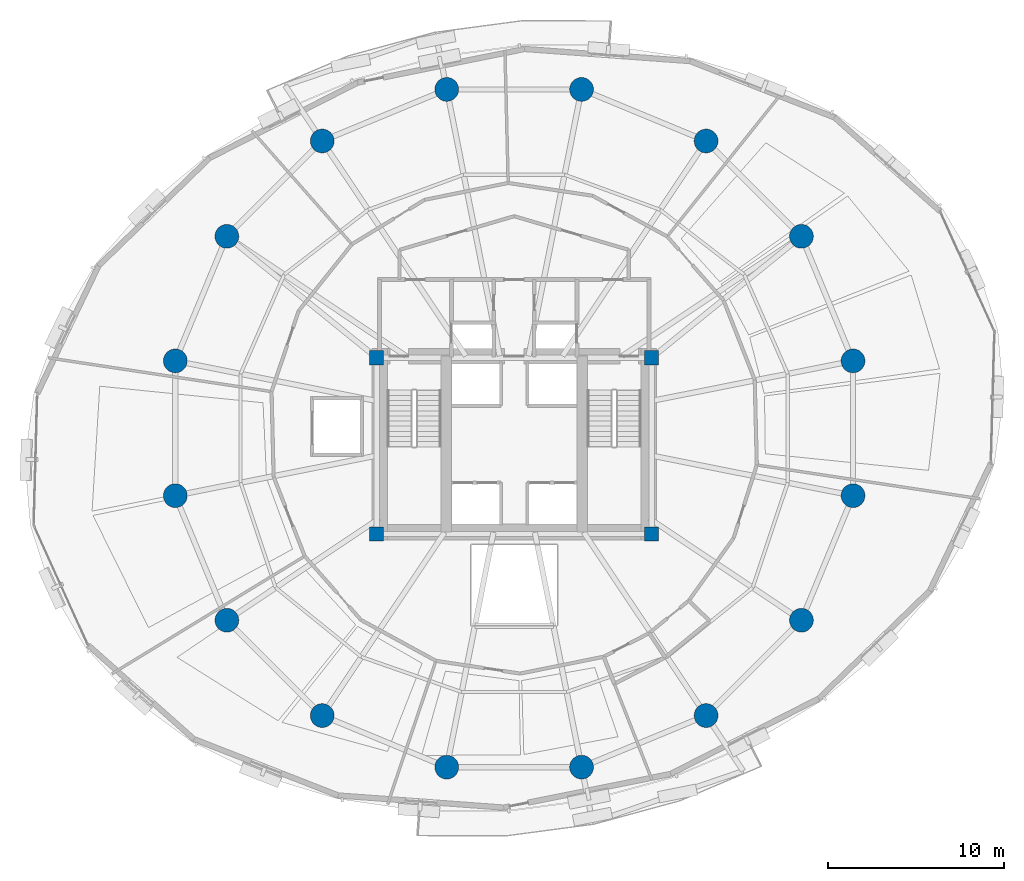
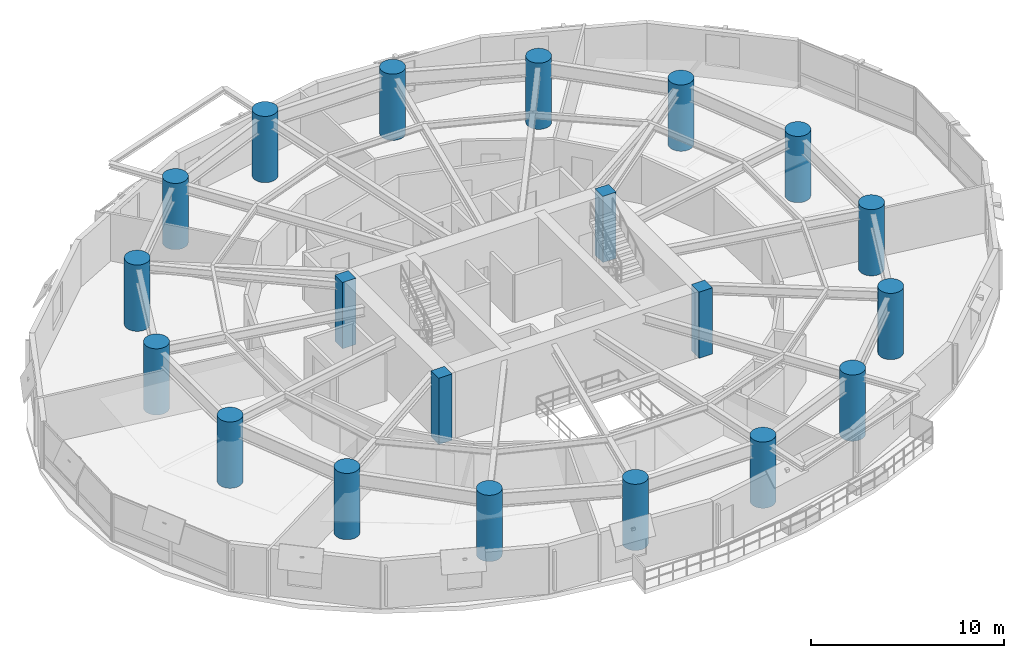
# One storey, part 1 of 17: 20 columns.
"""IFC4 building model written with IfcOpenShell, lengths in metres."""

from ifc_helpers import new_model, si_unit, direction, frame, origin, origin_2d, place, context, subcontext, project, spatial, rectangle, circle, extrude, material, material_profile, profile_set, type_object, element, save


model = new_model("IFC4")

# Units and contexts
model_context = context("Model", 3, precision=1e-05, world=origin(), true_north=direction((0.0, 1.0)))
body_context = subcontext(model_context, "Body", "Model", "MODEL_VIEW")
ifc_project = project(units=[si_unit("LENGTHUNIT", "METRE"), si_unit("AREAUNIT", "SQUARE_METRE"), si_unit("VOLUMEUNIT", "CUBIC_METRE"), si_unit("PLANEANGLEUNIT", "RADIAN"), si_unit("MASSUNIT", "GRAM", prefix="KILO"), si_unit("THERMODYNAMICTEMPERATUREUNIT", "KELVIN"), si_unit("POWERUNIT", "WATT")], contexts=[model_context])

# Site, building, storey
site_placement = place(None, origin())
site = spatial("IfcSite", under=ifc_project, at=site_placement, CompositionType="ELEMENT")
building_placement = place(site_placement, origin())
building = spatial("IfcBuilding", under=site, at=building_placement, Name="Ocrelia Relay Tower", CompositionType="ELEMENT")
storey_placement = place(building_placement, frame((0.0, 0.0, 80.39990234375)))
storey = spatial("IfcBuildingStorey", under=building, at=storey_placement, Name="L18", CompositionType="ELEMENT", Elevation=80.39990234375)

# Columns
ifc_material_1 = material(Name="Concrete C70/85", Category="concrete")
ifc_material_profile_1 = material_profile(ifc_material_1, circle(Radius=0.675048828125, at=origin_2d()), Name="RC-CIR-1350")
ifc_profile_set_1 = profile_set([ifc_material_profile_1], Name="Concrete C70/85")
column_type_1 = type_object("IfcColumnType", Name="COL-CT-1350", PredefinedType="COLUMN", material=ifc_profile_set_1)
for number, where, z_axis, x_axis, name in (
    (1, (53.223388671875, 29.82373046875, 0.0), (0.0, 0.0, 1.0), (1.0, 0.0, 0.0), "L18 Perimeter Ring Column C01"),
    (2, (50.296875, 36.88916015625, 0.0), (0.0, 0.0, 1.0), (1.0, 0.0, 0.0), "L18 Perimeter Ring Column C02"),
    (3, (44.88916015625, 42.296875, 0.0), (0.0, 0.0, 1.0), (1.0, 0.0, 0.0), "L18 Perimeter Ring Column C03"),
    (4, (37.82373046875, 45.223388671875, 0.0), (0.0, 0.0, 1.0), (1.0, 0.0, 0.0), "L18 Perimeter Ring Column C04"),
    (5, (30.17626953125, 45.223388671875, 0.0), (0.0, 0.0, 1.0), (1.0, 0.0, 0.0), "L18 Perimeter Ring Column C05"),
    (6, (23.11083984375, 42.296875, 0.0), (0.0, 0.0, 1.0), (1.0, 0.0, 0.0), "L18 Perimeter Ring Column C06"),
    (7, (17.703125, 36.88916015625, 0.0), (0.0, 0.0, 1.0), (1.0, 0.0, 0.0), "L18 Perimeter Ring Column C07"),
    (8, (14.776611328125, 29.82373046875, 0.0), (0.0, 0.0, 1.0), (1.0, 0.0, 0.0), "L18 Perimeter Ring Column C08"),
    (9, (14.776611328125, 22.17626953125, 0.0), (0.0, 0.0, 1.0), (1.0, 0.0, 0.0), "L18 Perimeter Ring Column C09"),
    (10, (17.703125, 15.11083984375, 0.0), (0.0, 0.0, 1.0), (1.0, 0.0, 0.0), "L18 Perimeter Ring Column C10"),
    (11, (23.11083984375, 9.703125, 0.0), (0.0, 0.0, 1.0), (1.0, 0.0, 0.0), "L18 Perimeter Ring Column C11"),
    (12, (30.17626953125, 6.776611328125, 0.0), (0.0, 0.0, 1.0), (1.0, 0.0, 0.0), "L18 Perimeter Ring Column C12"),
    (13, (37.82373046875, 6.776611328125, 0.0), (0.0, 0.0, 1.0), (1.0, 0.0, 0.0), "L18 Perimeter Ring Column C13"),
    (14, (44.88916015625, 9.703125, 0.0), (0.0, 0.0, 1.0), (1.0, 0.0, 0.0), "L18 Perimeter Ring Column C14"),
    (15, (50.296875, 15.11083984375, 0.0), (0.0, 0.0, 1.0), (1.0, 0.0, 0.0), "L18 Perimeter Ring Column C15"),
    (16, (53.223388671875, 22.17626953125, 0.0), (0.0, 0.0, 1.0), (1.0, 0.0, 0.0), "L18 Perimeter Ring Column C16"),
):
    element("IfcColumn", number, at=place(storey_placement, frame(where, z_axis=z_axis, x_axis=x_axis)), inside=storey, type_object=column_type_1, Name=name, PredefinedType="COLUMN", context=body_context, shape_type="SweptSolid", body=[
        extrude(circle(Radius=0.675048828125, at=origin_2d()), origin(), (0.0, 0.0, 1.0), 4.2001953125),
    ])
ifc_material_2 = material(Name="Concrete C60/75", Category="concrete")
ifc_material_profile_2 = material_profile(ifc_material_2, rectangle(XDim=0.800048828125, YDim=0.800048828125, at=origin_2d()), Name="RC-COL-800x800")
ifc_profile_set_2 = profile_set([ifc_material_profile_2], Name="Concrete C60/75")
column_type_2 = type_object("IfcColumnType", Name="COL-PILASTER-800", PredefinedType="PILASTER", material=ifc_profile_set_2)
for number, where, z_axis, x_axis, name in (
    (17, (26.199951171875, 20.0, 0.0), (0.0, 0.0, 1.0), (1.0, 0.0, 0.0), "L18 Core Corner Pilaster SW"),
    (18, (41.800048828125, 20.0, 0.0), (0.0, 0.0, 1.0), (1.0, 0.0, 0.0), "L18 Core Corner Pilaster SE"),
    (19, (26.199951171875, 30.0, 0.0), (0.0, 0.0, 1.0), (1.0, 0.0, 0.0), "L18 Core Corner Pilaster NW"),
    (20, (41.800048828125, 30.0, 0.0), (0.0, 0.0, 1.0), (1.0, 0.0, 0.0), "L18 Core Corner Pilaster NE"),
):
    element("IfcColumn", number, at=place(storey_placement, frame(where, z_axis=z_axis, x_axis=x_axis)), inside=storey, type_object=column_type_2, Name=name, PredefinedType="PILASTER", context=body_context, shape_type="SweptSolid", body=[
        extrude(rectangle(XDim=0.800048828125, YDim=0.800048828125, at=origin_2d()), origin(), (0.0, 0.0, 1.0), 4.2001953125),
    ])

save(model, "model.ifc")
